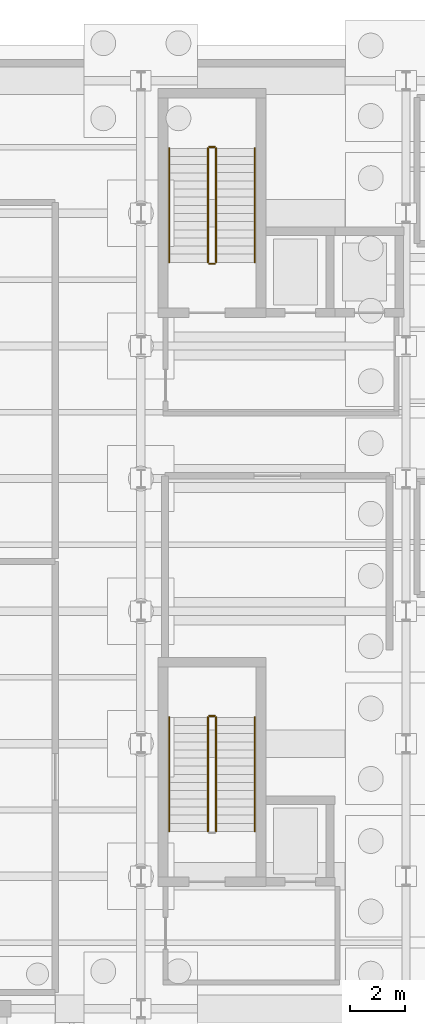
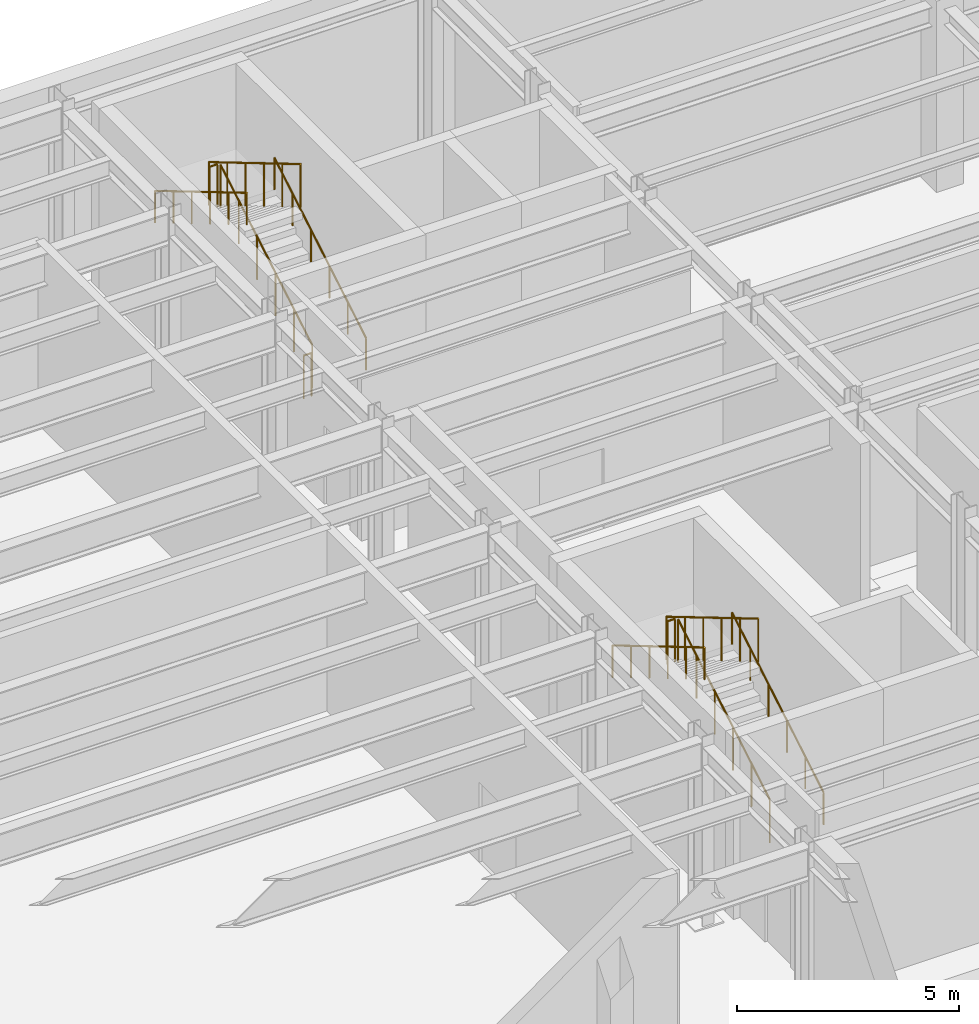
# One storey, part 31 of 33: 11 railings.
"""IFC4 building model written with IfcOpenShell, lengths in metres."""

from ifc_helpers import new_model, si_unit, direction, frame, origin, origin_2d, place, context, subcontext, project, spatial, circle, extrude, material, layer, layer_set, type_object, element, save


model = new_model("IFC4")

# Units and contexts
model_context = context("Model", 3, precision=1e-05, world=origin(), true_north=direction((0.0, 1.0)))
body_context = subcontext(model_context, "Body", "Model", "MODEL_VIEW")
ifc_project = project(units=[si_unit("LENGTHUNIT", "METRE"), si_unit("AREAUNIT", "SQUARE_METRE"), si_unit("VOLUMEUNIT", "CUBIC_METRE"), si_unit("PLANEANGLEUNIT", "RADIAN"), si_unit("MASSUNIT", "GRAM", prefix="KILO")], contexts=[model_context])

# Site, building, storey
site_placement = place(None, origin())
site = spatial("IfcSite", under=ifc_project, at=site_placement, CompositionType="ELEMENT")
building_placement = place(site_placement, origin())
building = spatial("IfcBuilding", under=site, at=building_placement, Name="Nordkorset Police Headquarters", CompositionType="ELEMENT")
storey_placement = place(building_placement, frame((0.0, 0.0, -9.800048828125)))
storey = spatial("IfcBuildingStorey", under=building, at=storey_placement, Name="B02", CompositionType="ELEMENT", Elevation=-9.800048828125)

# Railings
ifc_material_1 = material(Name="Steel S355J2", Category="steel")
ifc_layer_1 = layer(ifc_material_1, 0.048095703125, Name="Steel S355J2")
ifc_layer_set_1 = layer_set([ifc_layer_1], Name="Steel S355J2")
railing_type_1 = type_object("IfcRailingType", Name="Railing_Handrail_900", PredefinedType="HANDRAIL", material=ifc_layer_set_1)
railing_1_placement = place(storey_placement, frame((23.324951171875, 110.22509765625, 0.175048828125)))
element("IfcRailing", 1, at=railing_1_placement, inside=storey, type_object=railing_type_1, Name="B02 ST-01 stair handrail 1", PredefinedType="HANDRAIL", context=body_context, shape_type="SweptSolid", body=[
    extrude(circle(Radius=0.02392578125, at=origin_2d()), frame((0.0, 0.0, 0.8759765625), z_axis=(0.0, 0.860052763207, 0.510205100425), x_axis=(-1.0, 0.0, 0.0)), (0.0, 0.0, 1.0), 4.802001953125),
    extrude(circle(Radius=0.02099609375, at=origin_2d()), origin(), (0.0, 0.0, 1.0), 0.851806640625),
    extrude(circle(Radius=0.02099609375, at=origin_2d()), frame((0.0, 0.825927734375, 0.489990234375)), (0.0, 0.0, 1.0), 0.851806640625),
    extrude(circle(Radius=0.02099609375, at=origin_2d()), frame((0.0, 1.65185546875, 0.97998046875)), (0.0, 0.0, 1.0), 0.851806640625),
    extrude(circle(Radius=0.02099609375, at=origin_2d()), frame((0.0, 2.47802734375, 1.469970703125)), (0.0, 0.0, 1.0), 0.851806640625),
    extrude(circle(Radius=0.02099609375, at=origin_2d()), frame((0.0, 3.303955078125, 1.9599609375)), (0.0, 0.0, 1.0), 0.851806640625),
    extrude(circle(Radius=0.02099609375, at=origin_2d()), frame((0.0, 4.1298828125, 2.449951171875)), (0.0, 0.0, 1.0), 0.851806640625),
])
railing_2_placement = place(storey_placement, frame((20.22509765625, 114.35498046875, 2.800048828125)))
element("IfcRailing", 2, at=railing_2_placement, inside=storey, type_object=railing_type_1, Name="B02 ST-01 stair handrail 2", PredefinedType="HANDRAIL", context=body_context, shape_type="SweptSolid", body=[
    extrude(circle(Radius=0.02392578125, at=origin_2d()), frame((0.0, 0.0, 0.8759765625), z_axis=(0.0, -0.860052763207, 0.510205100425), x_axis=(1.0, 0.0, 0.0)), (0.0, 0.0, 1.0), 4.802001953125),
    extrude(circle(Radius=0.02099609375, at=origin_2d()), origin(), (0.0, 0.0, 1.0), 0.851806640625),
    extrude(circle(Radius=0.02099609375, at=origin_2d()), frame((0.0, -0.825927734375, 0.489990234375)), (0.0, 0.0, 1.0), 0.851806640625),
    extrude(circle(Radius=0.02099609375, at=origin_2d()), frame((0.0, -1.65185546875, 0.97998046875)), (0.0, 0.0, 1.0), 0.851806640625),
    extrude(circle(Radius=0.02099609375, at=origin_2d()), frame((0.0, -2.47802734375, 1.469970703125)), (0.0, 0.0, 1.0), 0.851806640625),
    extrude(circle(Radius=0.02099609375, at=origin_2d()), frame((0.0, -3.303955078125, 1.9599609375)), (0.0, 0.0, 1.0), 0.851806640625),
    extrude(circle(Radius=0.02099609375, at=origin_2d()), frame((0.0, -4.1298828125, 2.449951171875)), (0.0, 0.0, 1.0), 0.851806640625),
])
railing_3_placement = place(storey_placement, frame((23.324951171875, 89.625, 0.175048828125)))
element("IfcRailing", 3, at=railing_3_placement, inside=storey, type_object=railing_type_1, Name="B02 ST-03 stair handrail 1", PredefinedType="HANDRAIL", context=body_context, shape_type="SweptSolid", body=[
    extrude(circle(Radius=0.02392578125, at=origin_2d()), frame((0.0, 0.0, 0.8759765625), z_axis=(0.0, 0.860052763207, 0.510205100425), x_axis=(-1.0, 0.0, 0.0)), (0.0, 0.0, 1.0), 4.802001953125),
    extrude(circle(Radius=0.02099609375, at=origin_2d()), origin(), (0.0, 0.0, 1.0), 0.851806640625),
    extrude(circle(Radius=0.02099609375, at=origin_2d()), frame((0.0, 0.825927734375, 0.489990234375)), (0.0, 0.0, 1.0), 0.851806640625),
    extrude(circle(Radius=0.02099609375, at=origin_2d()), frame((0.0, 1.65185546875, 0.97998046875)), (0.0, 0.0, 1.0), 0.851806640625),
    extrude(circle(Radius=0.02099609375, at=origin_2d()), frame((0.0, 2.47802734375, 1.469970703125)), (0.0, 0.0, 1.0), 0.851806640625),
    extrude(circle(Radius=0.02099609375, at=origin_2d()), frame((0.0, 3.303955078125, 1.9599609375)), (0.0, 0.0, 1.0), 0.851806640625),
    extrude(circle(Radius=0.02099609375, at=origin_2d()), frame((0.0, 4.1298828125, 2.449951171875)), (0.0, 0.0, 1.0), 0.851806640625),
])
railing_4_placement = place(storey_placement, frame((20.22509765625, 93.7548828125, 2.800048828125)))
element("IfcRailing", 4, at=railing_4_placement, inside=storey, type_object=railing_type_1, Name="B02 ST-03 stair handrail 2", PredefinedType="HANDRAIL", context=body_context, shape_type="SweptSolid", body=[
    extrude(circle(Radius=0.02392578125, at=origin_2d()), frame((0.0, 0.0, 0.8759765625), z_axis=(0.0, -0.860052763207, 0.510205100425), x_axis=(1.0, 0.0, 0.0)), (0.0, 0.0, 1.0), 4.802001953125),
    extrude(circle(Radius=0.02099609375, at=origin_2d()), origin(), (0.0, 0.0, 1.0), 0.851806640625),
    extrude(circle(Radius=0.02099609375, at=origin_2d()), frame((0.0, -0.825927734375, 0.489990234375)), (0.0, 0.0, 1.0), 0.851806640625),
    extrude(circle(Radius=0.02099609375, at=origin_2d()), frame((0.0, -1.65185546875, 0.97998046875)), (0.0, 0.0, 1.0), 0.851806640625),
    extrude(circle(Radius=0.02099609375, at=origin_2d()), frame((0.0, -2.47802734375, 1.469970703125)), (0.0, 0.0, 1.0), 0.851806640625),
    extrude(circle(Radius=0.02099609375, at=origin_2d()), frame((0.0, -3.303955078125, 1.9599609375)), (0.0, 0.0, 1.0), 0.851806640625),
    extrude(circle(Radius=0.02099609375, at=origin_2d()), frame((0.0, -4.1298828125, 2.449951171875)), (0.0, 0.0, 1.0), 0.851806640625),
])
ifc_material_2 = material(Name="Steel S355J2", Category="steel")
ifc_layer_2 = layer(ifc_material_2, 0.050048828125, Name="Steel S355J2")
ifc_layer_set_2 = layer_set([ifc_layer_2], Name="Steel S355J2")
railing_type_2 = type_object("IfcRailingType", Name="Railing_StairGuard_1200", PredefinedType="GUARDRAIL", material=ifc_layer_set_2)
railing_5_placement = place(storey_placement, frame((21.925048828125, 110.22509765625, 0.175048828125)))
element("IfcRailing", 5, at=railing_5_placement, inside=storey, type_object=railing_type_2, Name="B02 ST-01 stair guard 1", PredefinedType="GUARDRAIL", context=body_context, shape_type="SweptSolid", body=[
    extrude(circle(Radius=0.02392578125, at=origin_2d()), frame((0.0, 0.0, 1.17578125), z_axis=(0.0, 0.860052763207, 0.510205100425), x_axis=(-1.0, 0.0, 0.0)), (0.0, 0.0, 1.0), 4.802001953125),
    extrude(circle(Radius=0.02099609375, at=origin_2d()), origin(), (0.0, 0.0, 1.0), 1.15185546875),
    extrude(circle(Radius=0.02099609375, at=origin_2d()), frame((0.0, 0.825927734375, 0.489990234375)), (0.0, 0.0, 1.0), 1.15185546875),
    extrude(circle(Radius=0.02099609375, at=origin_2d()), frame((0.0, 1.65185546875, 0.97998046875)), (0.0, 0.0, 1.0), 1.15185546875),
    extrude(circle(Radius=0.02099609375, at=origin_2d()), frame((0.0, 2.47802734375, 1.469970703125)), (0.0, 0.0, 1.0), 1.15185546875),
    extrude(circle(Radius=0.02099609375, at=origin_2d()), frame((0.0, 3.303955078125, 1.9599609375)), (0.0, 0.0, 1.0), 1.15185546875),
    extrude(circle(Radius=0.02099609375, at=origin_2d()), frame((0.0, 4.1298828125, 2.449951171875)), (0.0, 0.0, 1.0), 1.15185546875),
])
railing_6_placement = place(storey_placement, frame((21.875, 114.405029296875, 2.625)))
element("IfcRailing", 6, at=railing_6_placement, inside=storey, type_object=railing_type_2, Name="B02 ST-01 stair guard 2", PredefinedType="GUARDRAIL", context=body_context, shape_type="SweptSolid", body=[
    extrude(circle(Radius=0.02392578125, at=origin_2d()), frame((0.0, 0.0, 1.17578125), z_axis=(-1.0, 0.0, 0.0), x_axis=(0.0, -1.0, 0.0)), (0.0, 0.0, 1.0), 0.199951171875),
    extrude(circle(Radius=0.02099609375, at=origin_2d()), origin(), (0.0, 0.0, 1.0), 1.15185546875),
    extrude(circle(Radius=0.02099609375, at=origin_2d()), frame((-0.199951171875, 0.0, 0.0)), (0.0, 0.0, 1.0), 1.15185546875),
])
railing_7_placement = place(storey_placement, frame((21.625, 114.35498046875, 2.800048828125)))
element("IfcRailing", 7, at=railing_7_placement, inside=storey, type_object=railing_type_2, Name="B02 ST-01 stair guard 3", PredefinedType="GUARDRAIL", context=body_context, shape_type="SweptSolid", body=[
    extrude(circle(Radius=0.02392578125, at=origin_2d()), frame((0.0, 0.0, 1.17578125), z_axis=(0.0, -0.860052763207, 0.510205100425), x_axis=(1.0, 0.0, 0.0)), (0.0, 0.0, 1.0), 4.802001953125),
    extrude(circle(Radius=0.02099609375, at=origin_2d()), origin(), (0.0, 0.0, 1.0), 1.15185546875),
    extrude(circle(Radius=0.02099609375, at=origin_2d()), frame((0.0, -0.825927734375, 0.489990234375)), (0.0, 0.0, 1.0), 1.15185546875),
    extrude(circle(Radius=0.02099609375, at=origin_2d()), frame((0.0, -1.65185546875, 0.97998046875)), (0.0, 0.0, 1.0), 1.15185546875),
    extrude(circle(Radius=0.02099609375, at=origin_2d()), frame((0.0, -2.47802734375, 1.469970703125)), (0.0, 0.0, 1.0), 1.15185546875),
    extrude(circle(Radius=0.02099609375, at=origin_2d()), frame((0.0, -3.303955078125, 1.9599609375)), (0.0, 0.0, 1.0), 1.15185546875),
    extrude(circle(Radius=0.02099609375, at=origin_2d()), frame((0.0, -4.1298828125, 2.449951171875)), (0.0, 0.0, 1.0), 1.15185546875),
])
railing_8_placement = place(storey_placement, frame((21.875, 110.175048828125, 0.0)))
element("IfcRailing", 8, at=railing_8_placement, inside=storey, type_object=railing_type_2, Name="B02 ST-01 stair guard 4", PredefinedType="GUARDRAIL", context=body_context, shape_type="SweptSolid", body=[
    extrude(circle(Radius=0.02392578125, at=origin_2d()), frame((0.0, 0.0, 1.17578125), z_axis=(-1.0, 0.0, 0.0), x_axis=(0.0, -1.0, 0.0)), (0.0, 0.0, 1.0), 0.199951171875),
    extrude(circle(Radius=0.02099609375, at=origin_2d()), origin(), (0.0, 0.0, 1.0), 1.15185546875),
    extrude(circle(Radius=0.02099609375, at=origin_2d()), frame((-0.199951171875, 0.0, 0.0)), (0.0, 0.0, 1.0), 1.15185546875),
])
railing_9_placement = place(storey_placement, frame((21.925048828125, 89.625, 0.175048828125)))
element("IfcRailing", 9, at=railing_9_placement, inside=storey, type_object=railing_type_2, Name="B02 ST-03 stair guard 1", PredefinedType="GUARDRAIL", context=body_context, shape_type="SweptSolid", body=[
    extrude(circle(Radius=0.02392578125, at=origin_2d()), frame((0.0, 0.0, 1.17578125), z_axis=(0.0, 0.860052763207, 0.510205100425), x_axis=(-1.0, 0.0, 0.0)), (0.0, 0.0, 1.0), 4.802001953125),
    extrude(circle(Radius=0.02099609375, at=origin_2d()), origin(), (0.0, 0.0, 1.0), 1.15185546875),
    extrude(circle(Radius=0.02099609375, at=origin_2d()), frame((0.0, 0.825927734375, 0.489990234375)), (0.0, 0.0, 1.0), 1.15185546875),
    extrude(circle(Radius=0.02099609375, at=origin_2d()), frame((0.0, 1.65185546875, 0.97998046875)), (0.0, 0.0, 1.0), 1.15185546875),
    extrude(circle(Radius=0.02099609375, at=origin_2d()), frame((0.0, 2.47802734375, 1.469970703125)), (0.0, 0.0, 1.0), 1.15185546875),
    extrude(circle(Radius=0.02099609375, at=origin_2d()), frame((0.0, 3.303955078125, 1.9599609375)), (0.0, 0.0, 1.0), 1.15185546875),
    extrude(circle(Radius=0.02099609375, at=origin_2d()), frame((0.0, 4.1298828125, 2.449951171875)), (0.0, 0.0, 1.0), 1.15185546875),
])
railing_10_placement = place(storey_placement, frame((21.875, 93.804931640625, 2.625)))
element("IfcRailing", 10, at=railing_10_placement, inside=storey, type_object=railing_type_2, Name="B02 ST-03 stair guard 2", PredefinedType="GUARDRAIL", context=body_context, shape_type="SweptSolid", body=[
    extrude(circle(Radius=0.02392578125, at=origin_2d()), frame((0.0, 0.0, 1.17578125), z_axis=(-1.0, 0.0, 0.0), x_axis=(0.0, -1.0, 0.0)), (0.0, 0.0, 1.0), 0.199951171875),
    extrude(circle(Radius=0.02099609375, at=origin_2d()), origin(), (0.0, 0.0, 1.0), 1.15185546875),
    extrude(circle(Radius=0.02099609375, at=origin_2d()), frame((-0.199951171875, 0.0, 0.0)), (0.0, 0.0, 1.0), 1.15185546875),
])
railing_11_placement = place(storey_placement, frame((21.625, 93.7548828125, 2.800048828125)))
element("IfcRailing", 11, at=railing_11_placement, inside=storey, type_object=railing_type_2, Name="B02 ST-03 stair guard 3", PredefinedType="GUARDRAIL", context=body_context, shape_type="SweptSolid", body=[
    extrude(circle(Radius=0.02392578125, at=origin_2d()), frame((0.0, 0.0, 1.17578125), z_axis=(0.0, -0.860052763207, 0.510205100425), x_axis=(1.0, 0.0, 0.0)), (0.0, 0.0, 1.0), 4.802001953125),
    extrude(circle(Radius=0.02099609375, at=origin_2d()), origin(), (0.0, 0.0, 1.0), 1.15185546875),
    extrude(circle(Radius=0.02099609375, at=origin_2d()), frame((0.0, -0.825927734375, 0.489990234375)), (0.0, 0.0, 1.0), 1.15185546875),
    extrude(circle(Radius=0.02099609375, at=origin_2d()), frame((0.0, -1.65185546875, 0.97998046875)), (0.0, 0.0, 1.0), 1.15185546875),
    extrude(circle(Radius=0.02099609375, at=origin_2d()), frame((0.0, -2.47802734375, 1.469970703125)), (0.0, 0.0, 1.0), 1.15185546875),
    extrude(circle(Radius=0.02099609375, at=origin_2d()), frame((0.0, -3.303955078125, 1.9599609375)), (0.0, 0.0, 1.0), 1.15185546875),
    extrude(circle(Radius=0.02099609375, at=origin_2d()), frame((0.0, -4.1298828125, 2.449951171875)), (0.0, 0.0, 1.0), 1.15185546875),
])

save(model, "model.ifc")
